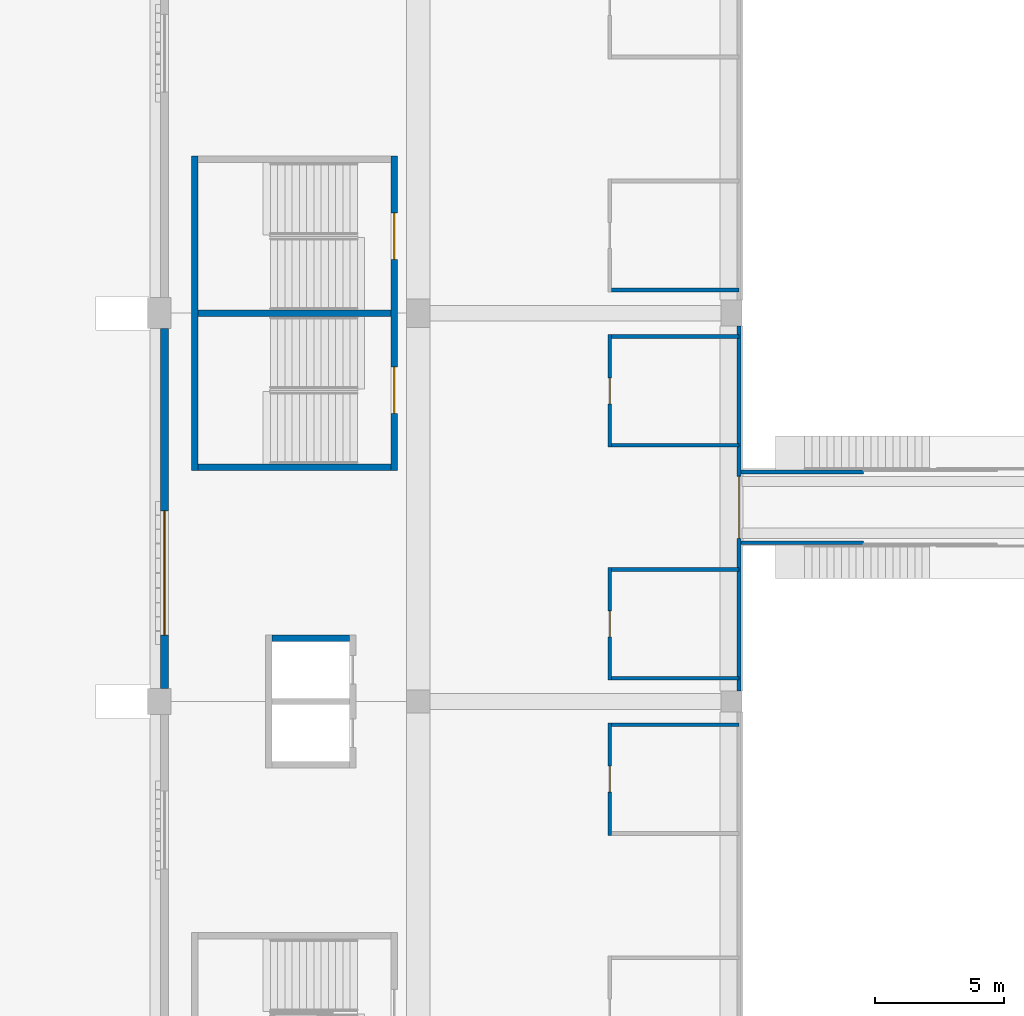
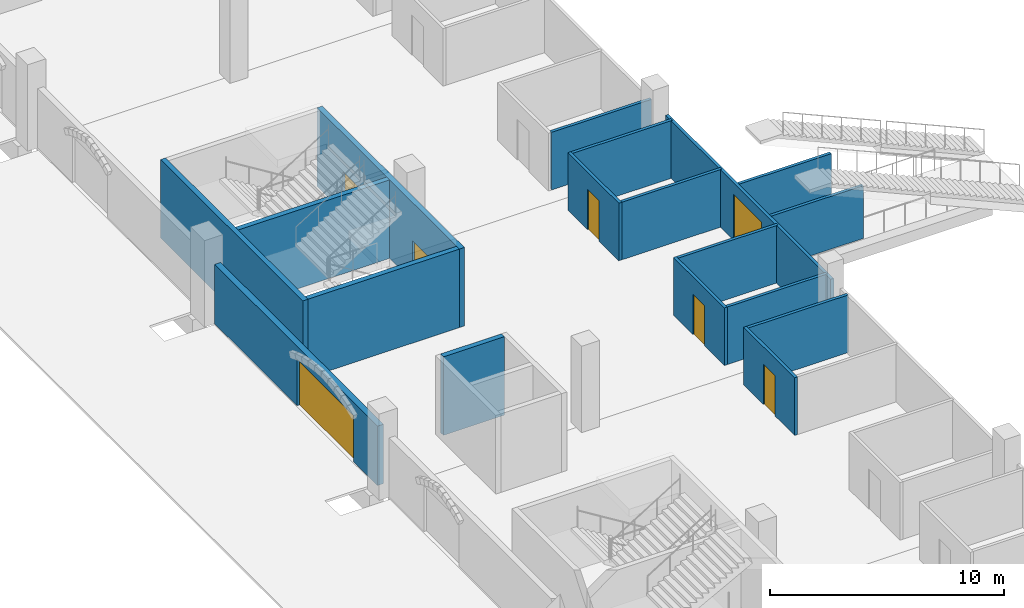
# One storey, part 31 of 175: 18 walls, 7 doors, 7 openings.
"""IFC4 building model written with IfcOpenShell, lengths in metres."""

from ifc_helpers import new_model, si_unit, direction, frame, frame_2d, origin, place, context, subcontext, project, spatial, rectangle, extrude, material, layer, layer_set, type_object, element, fill, save


model = new_model("IFC4")

# Units and contexts
model_context = context("Model", 3, precision=1e-05, world=origin(), true_north=direction((0.0, 1.0)))
body_context = subcontext(model_context, "Body", "Model", "MODEL_VIEW")
ifc_project = project(units=[si_unit("LENGTHUNIT", "METRE"), si_unit("AREAUNIT", "SQUARE_METRE"), si_unit("VOLUMEUNIT", "CUBIC_METRE"), si_unit("PLANEANGLEUNIT", "RADIAN"), si_unit("MASSUNIT", "GRAM", prefix="KILO")], contexts=[model_context])

# Site, building, storey
site_placement = place(None, origin())
site = spatial("IfcSite", under=ifc_project, at=site_placement, CompositionType="ELEMENT")
building_placement = place(site_placement, origin())
building = spatial("IfcBuilding", under=site, at=building_placement, Name="Ogive Plaza Stadium", CompositionType="ELEMENT")
storey_placement = place(building_placement, origin())
storey = spatial("IfcBuildingStorey", under=building, at=storey_placement, Name="L00", CompositionType="ELEMENT", Elevation=0.0)

# Wall, opening, door
ifc_material_1 = material(Name="Masonry blockwork", Category="masonry")
ifc_layer_1 = layer(ifc_material_1, 0.14990234375)
ifc_layer_set_1 = layer_set([ifc_layer_1], Name="Blockwork wall 150")
wall_type_1 = type_object("IfcWallType", Name="Blockwork wall 150", PredefinedType="SOLIDWALL", material=ifc_layer_set_1)
wall_1_placement = place(storey_placement, frame((-66.60009765625, 2.324951171875, 0.0), z_axis=(0.0, 0.0, 1.0), x_axis=(0.0, 1.0, 0.0)))
wall_1 = element("IfcWall", 1, at=wall_1_placement, inside=storey, type_object=wall_type_1, Name="Wall L00 B24", PredefinedType="SOLIDWALL", context=body_context, shape_type="SweptSolid", body=[
    extrude(rectangle(XDim=4.35009765625, YDim=0.14990234375, at=frame_2d((2.175048828125, 0.0))), origin(), (0.0, 0.0, 1.0), 3.0),
])
opening_1_placement = place(wall_1_placement, frame((1.675048828125, 0.0, 0.0)))
opening_1 = element("IfcOpeningElement", 2, at=opening_1_placement, cuts=wall_1, Name="Opening D0429", PredefinedType="OPENING", context=body_context, shape_type="SweptSolid", body=[
    extrude(rectangle(XDim=1.0, YDim=2.10009765625, at=frame_2d((0.5, 1.050048828125))), frame((0.0, 0.074951171875, 0.0), z_axis=(0.0, -1.0, 0.0), x_axis=(1.0, 0.0, 0.0)), (0.0, 0.0, 1.0), 0.14990234375),
])
ifc_material_2 = material(Name="Steel ASTM A572 Grade 50", Category="steel")
door_type_1 = type_object("IfcDoorType", Name="Door 1000 x 2100", OperationType="SINGLE_SWING_LEFT", PredefinedType="DOOR", material=ifc_material_2)
door_1_placement = place(opening_1_placement, origin())
door_1 = element("IfcDoor", 3, at=door_1_placement, inside=storey, type_object=door_type_1, Name="Concession Stand B24 door", OperationType="SINGLE_SWING_RIGHT", OverallHeight=2.10009765625, OverallWidth=1.0, PredefinedType="DOOR", context=body_context, shape_type="SweptSolid", body=[
    extrude(rectangle(XDim=1.0, YDim=2.10009765625, at=frame_2d((0.5, 1.050048828125))), frame((0.0, 0.02490234375, 0.0), z_axis=(0.0, -1.0, 0.0), x_axis=(1.0, 0.0, 0.0)), (0.0, 0.0, 1.0), 0.050048828125),
])
fill(opening_1, door_1)

# Wall
wall_2_placement = place(storey_placement, frame((-61.60009765625, 6.60009765625, 0.0), z_axis=(0.0, 0.0, 1.0), x_axis=(-1.0, 0.0, 0.0)))
element("IfcWall", 4, at=wall_2_placement, inside=storey, type_object=wall_type_1, Name="Wall L00 B24", PredefinedType="SOLIDWALL", context=body_context, shape_type="SweptSolid", body=[
    extrude(rectangle(XDim=4.9248046875, YDim=0.14990234375, at=frame_2d((2.46240234375, 0.0))), origin(), (0.0, 0.0, 1.0), 3.0),
])

# Wall, opening, door
wall_3_placement = place(storey_placement, frame((-66.60009765625, 21.675048828125, 0.0), z_axis=(0.0, 0.0, 1.0), x_axis=(0.0, -1.0, 0.0)))
wall_3 = element("IfcWall", 5, at=wall_3_placement, inside=storey, type_object=wall_type_1, Name="Wall L00 B25", PredefinedType="SOLIDWALL", context=body_context, shape_type="SweptSolid", body=[
    extrude(rectangle(XDim=4.35009765625, YDim=0.14990234375, at=frame_2d((2.175048828125, 0.0))), origin(), (0.0, 0.0, 1.0), 3.0),
])
opening_2_placement = place(wall_3_placement, frame((1.675048828125, 0.0, 0.0)))
opening_2 = element("IfcOpeningElement", 6, at=opening_2_placement, cuts=wall_3, Name="Opening D0430", PredefinedType="OPENING", context=body_context, shape_type="SweptSolid", body=[
    extrude(rectangle(XDim=1.0, YDim=2.10009765625, at=frame_2d((0.5, 1.050048828125))), frame((0.0, 0.074951171875, 0.0), z_axis=(0.0, -1.0, 0.0), x_axis=(1.0, 0.0, 0.0)), (0.0, 0.0, 1.0), 0.14990234375),
])
door_2_placement = place(opening_2_placement, origin())
door_2 = element("IfcDoor", 7, at=door_2_placement, inside=storey, type_object=door_type_1, Name="Concession Stand B25 door", OperationType="SINGLE_SWING_RIGHT", OverallHeight=2.10009765625, OverallWidth=1.0, PredefinedType="DOOR", context=body_context, shape_type="SweptSolid", body=[
    extrude(rectangle(XDim=1.0, YDim=2.10009765625, at=frame_2d((0.5, 1.050048828125))), frame((0.0, 0.02490234375, 0.0), z_axis=(0.0, -1.0, 0.0), x_axis=(1.0, 0.0, 0.0)), (0.0, 0.0, 1.0), 0.050048828125),
])
fill(opening_2, door_2)

# Walls
for number, where, z_axis, x_axis, name in (
    (8, (-61.60009765625, 21.60009765625, 0.0), (0.0, 0.0, 1.0), (-1.0, 0.0, 0.0), "Wall L00 B25"),
    (9, (-61.60009765625, 17.39990234375, 0.0), (0.0, 0.0, 1.0), (-1.0, 0.0, 0.0), "Wall L00 B25"),
):
    element("IfcWall", number, at=place(storey_placement, frame(where, z_axis=z_axis, x_axis=x_axis)), inside=storey, type_object=wall_type_1, Name=name, PredefinedType="SOLIDWALL", context=body_context, shape_type="SweptSolid", body=[
        extrude(rectangle(XDim=4.9248046875, YDim=0.14990234375, at=frame_2d((2.46240234375, 0.0))), origin(), (0.0, 0.0, 1.0), 3.0),
    ])

# Wall, opening, door
wall_4_placement = place(storey_placement, frame((-66.60009765625, 12.675048828125, 0.0), z_axis=(0.0, 0.0, 1.0), x_axis=(0.0, -1.0, 0.0)))
wall_4 = element("IfcWall", 10, at=wall_4_placement, inside=storey, type_object=wall_type_1, Name="Wall L00 B25", PredefinedType="SOLIDWALL", context=body_context, shape_type="SweptSolid", body=[
    extrude(rectangle(XDim=4.35009765625, YDim=0.14990234375, at=frame_2d((2.175048828125, 0.0))), origin(), (0.0, 0.0, 1.0), 3.0),
])
opening_3_placement = place(wall_4_placement, frame((1.675048828125, 0.0, 0.0)))
opening_3 = element("IfcOpeningElement", 11, at=opening_3_placement, cuts=wall_4, Name="Opening D0431", PredefinedType="OPENING", context=body_context, shape_type="SweptSolid", body=[
    extrude(rectangle(XDim=1.0, YDim=2.10009765625, at=frame_2d((0.5, 1.050048828125))), frame((0.0, 0.074951171875, 0.0), z_axis=(0.0, -1.0, 0.0), x_axis=(1.0, 0.0, 0.0)), (0.0, 0.0, 1.0), 0.14990234375),
])
door_3_placement = place(opening_3_placement, origin())
door_3 = element("IfcDoor", 12, at=door_3_placement, inside=storey, type_object=door_type_1, Name="Concession Stand B25 door", OperationType="SINGLE_SWING_LEFT", OverallHeight=2.10009765625, OverallWidth=1.0, PredefinedType="DOOR", context=body_context, shape_type="SweptSolid", body=[
    extrude(rectangle(XDim=1.0, YDim=2.10009765625, at=frame_2d((0.5, 1.050048828125))), frame((0.0, 0.02490234375, 0.0), z_axis=(0.0, -1.0, 0.0), x_axis=(1.0, 0.0, 0.0)), (0.0, 0.0, 1.0), 0.050048828125),
])
fill(opening_3, door_3)

# Walls
for number, where, z_axis, x_axis, name in (
    (13, (-61.60009765625, 12.60009765625, 0.0), (0.0, 0.0, 1.0), (-1.0, 0.0, 0.0), "Wall L00 B25"),
    (14, (-61.60009765625, 8.39990234375, 0.0), (0.0, 0.0, 1.0), (-1.0, 0.0, 0.0), "Wall L00 B25"),
    (15, (-61.60009765625, 23.39990234375, 0.0), (0.0, 0.0, 1.0), (-1.0, 0.0, 0.0), "Wall L00 B26"),
):
    element("IfcWall", number, at=place(storey_placement, frame(where, z_axis=z_axis, x_axis=x_axis)), inside=storey, type_object=wall_type_1, Name=name, PredefinedType="SOLIDWALL", context=body_context, shape_type="SweptSolid", body=[
        extrude(rectangle(XDim=4.9248046875, YDim=0.14990234375, at=frame_2d((2.46240234375, 0.0))), origin(), (0.0, 0.0, 1.0), 3.0),
    ])

# Wall, opening, door
wall_5_placement = place(storey_placement, frame((-61.60009765625, 7.89990234375, 0.0), z_axis=(0.0, 0.0, 1.0), x_axis=(0.0, 1.0, 0.0)))
wall_5 = element("IfcWall", 16, at=wall_5_placement, inside=storey, type_object=wall_type_1, Name="Stand rear wall B25", PredefinedType="SOLIDWALL", context=body_context, shape_type="SweptSolid", body=[
    extrude(rectangle(XDim=14.10009765625, YDim=0.14990234375, at=frame_2d((7.050048828125, 0.0))), origin(), (0.0, 0.0, 1.0), 3.0),
])
opening_4_placement = place(wall_5_placement, frame((5.89990234375, 0.0, 0.0)))
opening_4 = element("IfcOpeningElement", 17, at=opening_4_placement, cuts=wall_5, Name="Opening D1049", PredefinedType="OPENING", context=body_context, shape_type="SweptSolid", body=[
    extrude(rectangle(XDim=2.39990234375, YDim=2.39990234375, at=frame_2d((1.199951171875, 1.199951171875))), frame((0.0, 0.074951171875, 0.0), z_axis=(0.0, -1.0, 0.0), x_axis=(1.0, 0.0, 0.0)), (0.0, 0.0, 1.0), 0.14990234375),
])
ifc_material_3 = material(Name="Steel ASTM A572 Grade 50", Category="steel")
door_type_2 = type_object("IfcDoorType", Name="Service door pair 2400 x 2400", OperationType="DOUBLE_DOOR_SINGLE_SWING", PredefinedType="DOOR", material=ifc_material_3)
door_4_placement = place(opening_4_placement, origin())
door_4 = element("IfcDoor", 18, at=door_4_placement, inside=storey, type_object=door_type_2, Name="Vomitory portal door B25", OperationType="DOUBLE_DOOR_SINGLE_SWING", OverallHeight=2.39990234375, OverallWidth=2.39990234375, PredefinedType="DOOR", context=body_context, shape_type="SweptSolid", body=[
    extrude(rectangle(XDim=2.39990234375, YDim=2.39990234375, at=frame_2d((1.199951171875, 1.199951171875))), frame((0.0, 0.02490234375, 0.0), z_axis=(0.0, -1.0, 0.0), x_axis=(1.0, 0.0, 0.0)), (0.0, 0.0, 1.0), 0.050048828125),
])
fill(opening_4, door_4)

# Wall, openings, doors
ifc_material_4 = material(Name="Concrete C40/50", Category="concrete")
ifc_layer_2 = layer(ifc_material_4, 0.25)
ifc_layer_set_2 = layer_set([ifc_layer_2], Name="Concrete C40/50")
wall_type_2 = type_object("IfcWallType", Name="Core wall 250", PredefinedType="SHEAR", material=ifc_layer_set_2)
wall_6_placement = place(storey_placement, frame((-74.925048828125, 28.574951171875, 0.0), z_axis=(0.0, 0.0, 1.0), x_axis=(0.0, -1.0, 0.0)))
wall_6 = element("IfcWall", 19, at=wall_6_placement, inside=storey, type_object=wall_type_2, Name="Stair core R26 inner wall", PredefinedType="SHEAR", context=body_context, shape_type="SweptSolid", body=[
    extrude(rectangle(XDim=12.14990234375, YDim=0.25, at=frame_2d((6.074951171875, 0.0))), origin(), (0.0, 0.0, 1.0), 4.090087890625),
])
opening_5_placement = place(wall_6_placement, frame((2.199951171875, 0.0, 0.0)))
opening_5 = element("IfcOpeningElement", 20, at=opening_5_placement, cuts=wall_6, Name="Opening D0197", PredefinedType="OPENING", context=body_context, shape_type="SweptSolid", body=[
    extrude(rectangle(XDim=1.800048828125, YDim=2.10009765625, at=frame_2d((0.89990234375, 1.050048828125))), frame((0.0, 0.125, 0.0), z_axis=(0.0, -1.0, 0.0), x_axis=(1.0, 0.0, 0.0)), (0.0, 0.0, 1.0), 0.25),
])
opening_6_placement = place(wall_6_placement, frame((8.14990234375, 0.0, 0.0)))
opening_6 = element("IfcOpeningElement", 21, at=opening_6_placement, cuts=wall_6, Name="Opening D0198", PredefinedType="OPENING", context=body_context, shape_type="SweptSolid", body=[
    extrude(rectangle(XDim=1.800048828125, YDim=2.10009765625, at=frame_2d((0.89990234375, 1.050048828125))), frame((0.0, 0.125, 0.0), z_axis=(0.0, -1.0, 0.0), x_axis=(1.0, 0.0, 0.0)), (0.0, 0.0, 1.0), 0.25),
])
ifc_material_5 = material(Name="Steel ASTM A572 Grade 50", Category="steel")
door_type_3 = type_object("IfcDoorType", Name="Fire door FD90 pair 1800 x 2100", OperationType="DOUBLE_DOOR_SINGLE_SWING", PredefinedType="DOOR", material=ifc_material_5)
door_5_placement = place(opening_5_placement, origin())
door_5 = element("IfcDoor", 22, at=door_5_placement, inside=storey, type_object=door_type_3, Name="Exit stair R26A door L00", OperationType="DOUBLE_DOOR_SINGLE_SWING", OverallHeight=2.10009765625, OverallWidth=1.800048828125, PredefinedType="DOOR", context=body_context, shape_type="SweptSolid", body=[
    extrude(rectangle(XDim=1.800048828125, YDim=2.10009765625, at=frame_2d((0.89990234375, 1.050048828125))), frame((0.0, 0.02490234375, 0.0), z_axis=(0.0, -1.0, 0.0), x_axis=(1.0, 0.0, 0.0)), (0.0, 0.0, 1.0), 0.050048828125),
])
fill(opening_5, door_5)
door_6_placement = place(opening_6_placement, origin())
door_6 = element("IfcDoor", 23, at=door_6_placement, inside=storey, type_object=door_type_3, Name="Exit stair R26B door L00", OperationType="DOUBLE_DOOR_SINGLE_SWING", OverallHeight=2.10009765625, OverallWidth=1.800048828125, PredefinedType="DOOR", context=body_context, shape_type="SweptSolid", body=[
    extrude(rectangle(XDim=1.800048828125, YDim=2.10009765625, at=frame_2d((0.89990234375, 1.050048828125))), frame((0.0, 0.02490234375, 0.0), z_axis=(0.0, -1.0, 0.0), x_axis=(1.0, 0.0, 0.0)), (0.0, 0.0, 1.0), 0.050048828125),
])
fill(opening_6, door_6)

# Walls
wall_7_placement = place(storey_placement, frame((-82.635009765625, 28.574951171875, 0.0), z_axis=(0.0, 0.0, 1.0), x_axis=(0.0, -1.0, 0.0)))
element("IfcWall", 24, at=wall_7_placement, inside=storey, type_object=wall_type_2, Name="Stair core R26 outer wall", PredefinedType="SHEAR", context=body_context, shape_type="SweptSolid", body=[
    extrude(rectangle(XDim=12.14990234375, YDim=0.25, at=frame_2d((6.074951171875, 0.0))), origin(), (0.0, 0.0, 1.0), 4.090087890625),
])
for number, where, z_axis, x_axis, name in (
    (25, (-75.050048828125, 16.550048828125, 0.0), (0.0, 0.0, 1.0), (-1.0, 0.0, 0.0), "Stair core R26 side wall"),
    (26, (-75.050048828125, 22.5, 0.0), (0.0, 0.0, 1.0), (-1.0, 0.0, 0.0), "Stair core R26 centre wall"),
):
    element("IfcWall", number, at=place(storey_placement, frame(where, z_axis=z_axis, x_axis=x_axis)), inside=storey, type_object=wall_type_2, Name=name, PredefinedType="SHEAR", context=body_context, shape_type="SweptSolid", body=[
        extrude(rectangle(XDim=7.4599609375, YDim=0.25, at=frame_2d((3.72998046875, 0.0))), origin(), (0.0, 0.0, 1.0), 4.090087890625),
    ])
wall_8_placement = place(storey_placement, frame((-76.64990234375, 9.949951171875, 0.0), z_axis=(0.0, 0.0, 1.0), x_axis=(-1.0, 0.0, 0.0)))
element("IfcWall", 27, at=wall_8_placement, inside=storey, type_object=wall_type_2, Name="Lift core LP25 side wall", PredefinedType="SHEAR", context=body_context, shape_type="SweptSolid", body=[
    extrude(rectangle(XDim=3.0, YDim=0.25, at=frame_2d((1.5, 0.0))), origin(), (0.0, 0.0, 1.0), 4.090087890625),
])

# Wall, opening, door
ifc_material_6 = material(Name="Concrete C45/55 precast", Category="concrete")
ifc_layer_3 = layer(ifc_material_6, 0.25)
ifc_material_7 = material(Name="Cast stone (reconstituted limestone)", Category="masonry")
ifc_layer_4 = layer(ifc_material_7, 0.050048828125)
ifc_layer_set_3 = layer_set([ifc_layer_3, ifc_layer_4], Name="Concrete C45/55 precast, cast stone facing")
wall_type_3 = type_object("IfcWallType", Name="Portal infill wall 300", PredefinedType="SOLIDWALL", material=ifc_layer_set_3)
wall_9_placement = place(storey_placement, frame((-83.800048828125, 8.0, 0.0), z_axis=(0.0, 0.0, 1.0), x_axis=(0.0, 1.0, 0.0)))
wall_9 = element("IfcWall", 28, at=wall_9_placement, inside=storey, type_object=wall_type_3, Name="PORTAL WALL B25", PredefinedType="SOLIDWALL", context=body_context, shape_type="SweptSolid", body=[
    extrude(rectangle(XDim=13.89990234375, YDim=0.300048828125, at=frame_2d((6.949951171875, 0.0))), origin(), (0.0, 0.0, 1.0), 3.090087890625),
])
opening_7_placement = place(wall_9_placement, frame((2.0625, 0.0, 0.0)))
opening_7 = element("IfcOpeningElement", 29, at=opening_7_placement, cuts=wall_9, Name="Opening D0025", PredefinedType="OPENING", context=body_context, shape_type="SweptSolid", body=[
    extrude(rectangle(XDim=4.800048828125, YDim=2.39990234375, at=frame_2d((2.39990234375, 1.199951171875))), frame((0.0, 0.16015625, 0.0), z_axis=(0.0, -1.0, 0.0), x_axis=(1.0, 0.0, 0.0)), (0.0, 0.0, 1.0), 0.320068359375),
])
ifc_material_8 = material(Name="Bronze-anodised aluminium and laminated glass", Category="aluminium")
door_type_4 = type_object("IfcDoorType", Name="Entrance door pair 4800 x 2400", OperationType="DOUBLE_DOOR_SINGLE_SWING", PredefinedType="DOOR", material=ifc_material_8)
door_7_placement = place(opening_7_placement, origin())
door_7 = element("IfcDoor", 30, at=door_7_placement, inside=storey, type_object=door_type_4, Name="Main entrance E13", OperationType="DOUBLE_DOOR_SINGLE_SWING", OverallHeight=2.39990234375, OverallWidth=4.800048828125, PredefinedType="DOOR", context=body_context, shape_type="SweptSolid", body=[
    extrude(rectangle(XDim=4.800048828125, YDim=2.39990234375, at=frame_2d((2.39990234375, 1.199951171875))), frame((0.0, 0.02490234375, 0.0), z_axis=(0.0, -1.0, 0.0), x_axis=(1.0, 0.0, 0.0)), (0.0, 0.0, 1.0), 0.050048828125),
])
fill(opening_7, door_7)

# Walls
ifc_material_9 = material(Name="Concrete C40/50", Category="concrete")
ifc_layer_5 = layer(ifc_material_9, 0.14990234375)
ifc_layer_set_4 = layer_set([ifc_layer_5], Name="Concrete C40/50")
wall_type_4 = type_object("IfcWallType", Name="Vomitory wall 150", PredefinedType="SOLIDWALL", material=ifc_layer_set_4)
for number, where, z_axis, x_axis, name in (
    (31, (-56.800048828125, 16.3701171875, 0.0), (0.0, 0.0, 1.0), (-1.0, 0.0, 0.0), "Vomitory tunnel wall B25"),
    (32, (-56.800048828125, 13.6298828125, 0.0), (0.0, 0.0, 1.0), (-1.0, 0.0, 0.0), "Vomitory tunnel wall B25"),
):
    element("IfcWall", number, at=place(storey_placement, frame(where, z_axis=z_axis, x_axis=x_axis)), inside=storey, type_object=wall_type_4, Name=name, PredefinedType="SOLIDWALL", context=body_context, shape_type="SweptSolid", body=[
        extrude(rectangle(XDim=4.724853515625, YDim=0.14990234375, at=frame_2d((2.3623046875, 0.0))), origin(), (0.0, 0.0, 1.0), 2.75),
    ])

save(model, "model.ifc")
